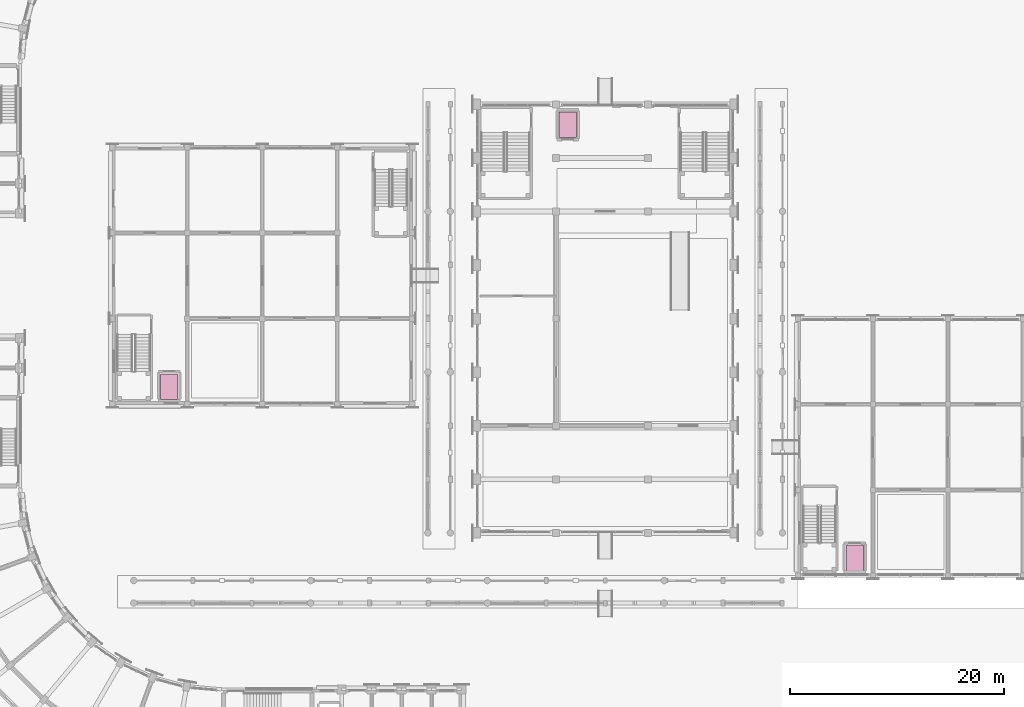
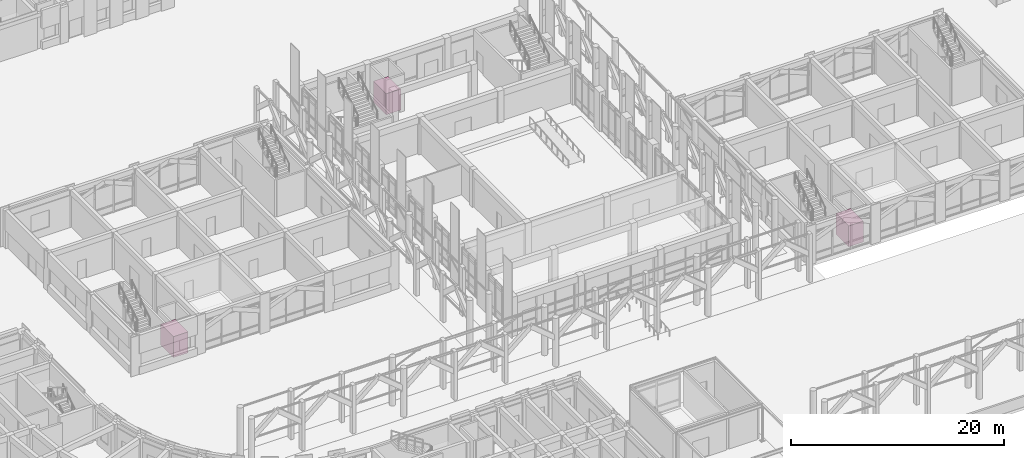
# One storey, part 135 of 135: 3 transport elements.
"""IFC4 building model written with IfcOpenShell, lengths in metres."""

from ifc_helpers import new_model, si_unit, direction, frame, origin, origin_2d, place, context, subcontext, project, spatial, rectangle, extrude, material, type_object, element, save


model = new_model("IFC4")

# Units and contexts
model_context = context("Model", 3, precision=1e-05, world=origin(), true_north=direction((0.0, 1.0)))
body_context = subcontext(model_context, "Body", "Model", "MODEL_VIEW")
ifc_project = project(units=[si_unit("LENGTHUNIT", "METRE"), si_unit("AREAUNIT", "SQUARE_METRE"), si_unit("VOLUMEUNIT", "CUBIC_METRE"), si_unit("PLANEANGLEUNIT", "RADIAN"), si_unit("MASSUNIT", "GRAM", prefix="KILO")], contexts=[model_context])

# Site, building, storey
site_placement = place(None, origin())
site = spatial("IfcSite", under=ifc_project, at=site_placement, CompositionType="ELEMENT")
building_placement = place(site_placement, origin())
building = spatial("IfcBuilding", under=site, at=building_placement, Name="Kiranvali Square Residences", CompositionType="ELEMENT")
storey_placement = place(building_placement, origin())
storey = spatial("IfcBuildingStorey", under=building, at=storey_placement, Name="L00", CompositionType="ELEMENT", Elevation=0.0)

# Transport elements
ifc_material = material(Name="Brushed stainless steel elevator car cab", Category="steel")
transport_element_type = type_object("IfcTransportElementType", Name="LFT-PAX-1600x2400", PredefinedType="ELEVATOR", material=ifc_material)
for number, where, z_axis, x_axis, name in (
    (1, (80.5, 82.10009765625, 0.0), (0.0, 0.0, 1.0), (1.0, 0.0, 0.0), "Community Hall Accessible Lift LP-CH1"),
    (2, (43.300048828125, 57.64990234375, 0.0), (0.0, 0.0, 1.0), (1.0, 0.0, 0.0), "Nursery Pavilion Accessible Lift LP-NR1"),
    (3, (107.300048828125, 41.64990234375, 0.0), (0.0, 0.0, 1.0), (1.0, 0.0, 0.0), "Retail Pavilion Accessible Lift LP-RT1"),
):
    element("IfcTransportElement", number, at=place(storey_placement, frame(where, z_axis=z_axis, x_axis=x_axis)), inside=storey, type_object=transport_element_type, Name=name, PredefinedType="ELEVATOR", context=body_context, shape_type="SweptSolid", body=[
        extrude(rectangle(XDim=1.60009765625, YDim=2.39990234375, at=origin_2d()), origin(), (0.0, 0.0, 1.0), 2.39990234375),
    ])

save(model, "model.ifc")
